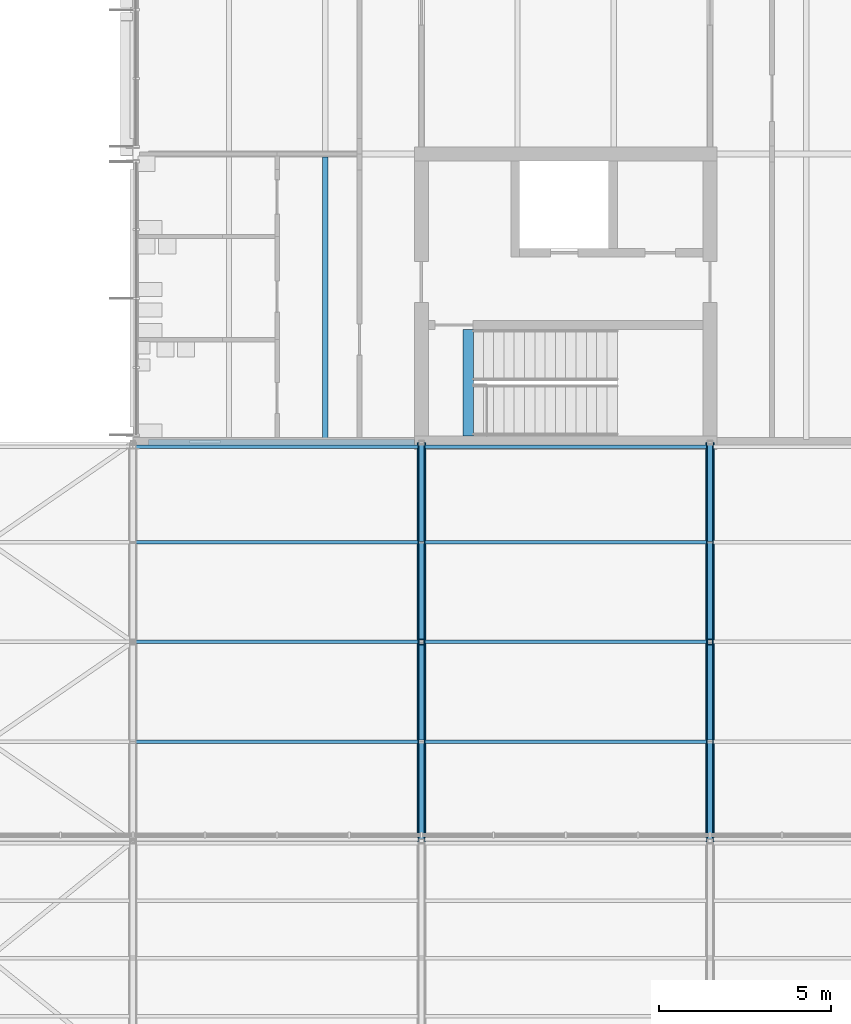
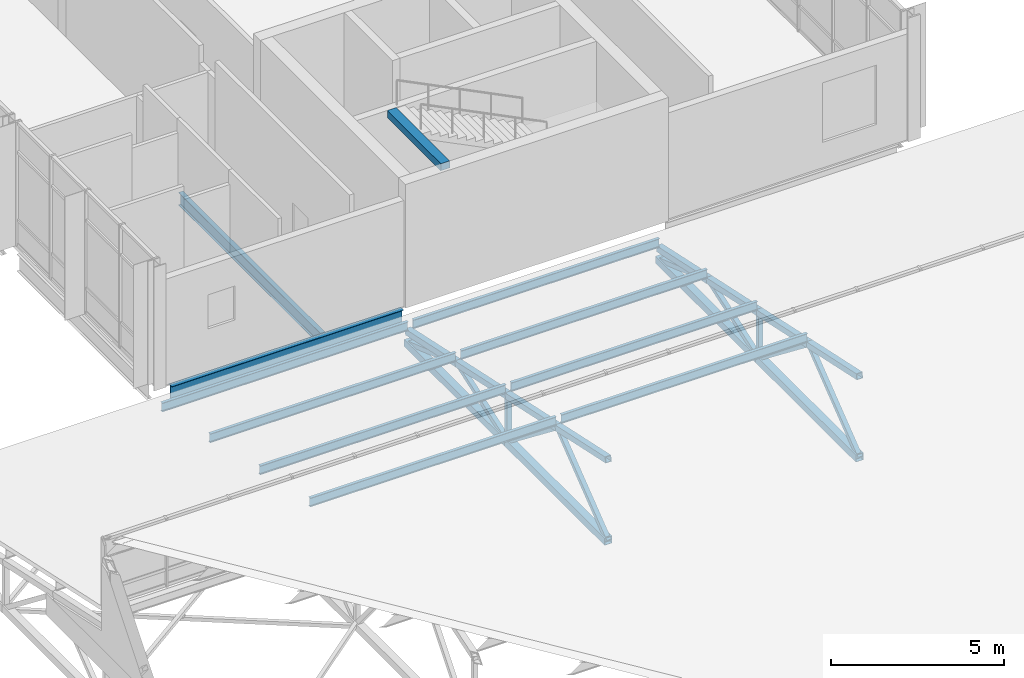
# One storey, part 24 of 89: 23 beams, 10 members.
"""IFC4 building model written with IfcOpenShell, lengths in metres."""

from ifc_helpers import new_model, si_unit, direction, frame, origin, origin_2d, place, context, subcontext, project, spatial, rectangle, hollow_rectangle, i_section, extrude, material, material_profile, profile_set, type_object, element, save


model = new_model("IFC4")

# Units and contexts
model_context = context("Model", 3, precision=1e-05, world=origin(), true_north=direction((0.0, 1.0)))
body_context = subcontext(model_context, "Body", "Model", "MODEL_VIEW")
ifc_project = project(units=[si_unit("LENGTHUNIT", "METRE"), si_unit("AREAUNIT", "SQUARE_METRE"), si_unit("VOLUMEUNIT", "CUBIC_METRE"), si_unit("PLANEANGLEUNIT", "RADIAN"), si_unit("MASSUNIT", "GRAM", prefix="KILO")], contexts=[model_context])

# Site, building, storey
site_placement = place(None, origin())
site = spatial("IfcSite", under=ifc_project, at=site_placement, CompositionType="ELEMENT")
building_placement = place(site_placement, origin())
building = spatial("IfcBuilding", under=site, at=building_placement, Name="Hlaing Beacon Police Headquarters", CompositionType="ELEMENT")
storey_placement = place(building_placement, frame((0.0, 0.0, 9.89990234375)))
storey = spatial("IfcBuildingStorey", under=building, at=storey_placement, Name="L02", CompositionType="ELEMENT", Elevation=9.89990234375)

# Beams
ifc_material_1 = material(Name="Steel ASTM A992 Grade 50", Category="steel")
ifc_material_profile_1 = material_profile(ifc_material_1, i_section(OverallWidth=0.177978515625, OverallDepth=0.599365234375, WebThickness=0.010009765625, FlangeThickness=0.012939453125, FilletRadius=0.012939453125, at=origin_2d()), Name="W24x55")
ifc_profile_set_1 = profile_set([ifc_material_profile_1], Name="Steel ASTM A992 Grade 50")
beam_type_1 = type_object("IfcBeamType", Name="Girder W24x55", PredefinedType="BEAM", material=ifc_profile_set_1)
beam_1_placement = place(storey_placement, frame((101.25, 33.60009765625, -0.4296875), z_axis=(1.0, 0.0, 0.0), x_axis=(0.0, 1.0, 0.0)))
element("IfcBeam", 1, at=beam_1_placement, inside=storey, type_object=beam_type_1, Name="STR-BM-L02-GX-N5-P5", PredefinedType="BEAM", context=body_context, shape_type="SweptSolid", body=[
    extrude(i_section(OverallWidth=0.177978515625, OverallDepth=0.599365234375, WebThickness=0.010009765625, FlangeThickness=0.012939453125, FilletRadius=0.012939453125, at=origin_2d()), origin(), (0.0, 0.0, 1.0), 7.75),
])
ifc_material_2 = material(Name="Steel ASTM A992 Grade 50", Category="steel")
ifc_material_profile_2 = material_profile(ifc_material_2, i_section(OverallWidth=0.102294921875, OverallDepth=0.3125, WebThickness=0.006591796875, FlangeThickness=0.0107421875, FilletRadius=0.007568359375, at=origin_2d()), Name="W12x22")
ifc_profile_set_2 = profile_set([ifc_material_profile_2], Name="Steel ASTM A992 Grade 50")
beam_type_2 = type_object("IfcBeamType", Name="Roof purlin W12x22", PredefinedType="BEAM", material=ifc_profile_set_2)
for number, where, z_axis, x_axis, name in (
    (2, (100.885009765625, 24.89990234375, 1.154052734375), (1.0, 0.0, 0.0), (0.0, 1.0, 0.0), "STR-RT-V3-PR-R3-02-2"),
    (3, (109.284912109375, 24.89990234375, 1.154052734375), (1.0, 0.0, 0.0), (0.0, 1.0, 0.0), "STR-RT-V3-PR-R3-02-3"),
    (4, (100.885009765625, 27.800048828125, 0.529052734375), (1.0, 0.0, 0.0), (0.0, 1.0, 0.0), "STR-RT-V3-PR-R3-03-2"),
    (5, (109.284912109375, 27.800048828125, 0.529052734375), (1.0, 0.0, 0.0), (0.0, 1.0, 0.0), "STR-RT-V3-PR-R3-03-3"),
    (6, (100.885009765625, 30.699951171875, -0.095947265625), (1.0, 0.0, 0.0), (0.0, 1.0, 0.0), "STR-RT-V3-PR-R3-04-2"),
    (7, (109.284912109375, 30.699951171875, -0.095947265625), (1.0, 0.0, 0.0), (0.0, 1.0, 0.0), "STR-RT-V3-PR-R3-04-3"),
    (8, (100.885009765625, 33.477294921875, -0.6943359375), (1.0, 0.0, 0.0), (0.0, 1.0, 0.0), "STR-RT-V3-PR-R3-05-2"),
    (9, (109.284912109375, 33.477294921875, -0.6943359375), (1.0, 0.0, 0.0), (0.0, 1.0, 0.0), "STR-RT-V3-PR-R3-05-3"),
):
    element("IfcBeam", number, at=place(storey_placement, frame(where, z_axis=z_axis, x_axis=x_axis)), inside=storey, type_object=beam_type_2, Name=name, PredefinedType="BEAM", context=body_context, shape_type="SweptSolid", body=[
        extrude(i_section(OverallWidth=0.102294921875, OverallDepth=0.3125, WebThickness=0.006591796875, FlangeThickness=0.0107421875, FilletRadius=0.007568359375, at=origin_2d()), origin(), (0.0, 0.0, 1.0), 8.22998046875),
    ])
ifc_material_3 = material(Name="Steel ASTM A992 Grade 50", Category="steel")
ifc_material_profile_3 = material_profile(ifc_material_3, i_section(OverallWidth=0.15234375, OverallDepth=0.449462890625, WebThickness=0.007568359375, FlangeThickness=0.0107421875, FilletRadius=0.01025390625, at=origin_2d()), Name="W18x35")
ifc_profile_set_3 = profile_set([ifc_material_profile_3], Name="Steel ASTM A992 Grade 50")
beam_type_3 = type_object("IfcBeamType", Name="Secondary beam W18x35", PredefinedType="BEAM", material=ifc_profile_set_3)
beam_2_placement = place(storey_placement, frame((106.39990234375, 33.68896484375, -0.354736328125), z_axis=(0.0, 1.0, 0.0), x_axis=(-1.0, 0.0, 0.0)))
element("IfcBeam", 10, at=beam_2_placement, inside=storey, type_object=beam_type_3, Name="STR-BM-L02-SB-N5-y2", PredefinedType="BEAM", context=body_context, shape_type="SweptSolid", body=[
    extrude(i_section(OverallWidth=0.15234375, OverallDepth=0.449462890625, WebThickness=0.007568359375, FlangeThickness=0.0107421875, FilletRadius=0.01025390625, at=origin_2d()), origin(), (0.0, 0.0, 1.0), 8.221923828125),
])
ifc_material_4 = material(Name="Concrete C40/50", Category="concrete")
ifc_material_profile_4 = material_profile(ifc_material_4, rectangle(XDim=0.300048828125, YDim=0.25, at=origin_2d()), Name="Stair arrival beam 300x250")
ifc_profile_set_4 = profile_set([ifc_material_profile_4], Name="Concrete C40/50")
beam_type_4 = type_object("IfcBeamType", Name="Stair arrival beam 300x250", PredefinedType="BEAM", material=ifc_profile_set_4)
beam_3_placement = place(storey_placement, frame((110.56005859375, 33.800048828125, 4.2451171875), z_axis=(0.0, 1.0, 0.0), x_axis=(-1.0, 0.0, 0.0)))
element("IfcBeam", 11, at=beam_3_placement, inside=storey, type_object=beam_type_4, Name="Stair arrival beam ST-L", PredefinedType="BEAM", context=body_context, shape_type="SweptSolid", body=[
    extrude(rectangle(XDim=0.300048828125, YDim=0.25, at=origin_2d()), origin(), (0.0, 0.0, 1.0), 3.099853515625),
])
ifc_material_5 = material(Name="Steel ASTM A500 Grade C", Category="steel")
ifc_material_profile_5 = material_profile(ifc_material_5, hollow_rectangle(XDim=0.25390625, YDim=0.25390625, WallThickness=0.0126953125, at=origin_2d()), Name="HSS10x10x1/2")
ifc_profile_set_5 = profile_set([ifc_material_profile_5], Name="Steel ASTM A500 Grade C")
beam_type_5 = type_object("IfcBeamType", Name="Truss bottom chord HSS10x10x1/2", PredefinedType="BEAM", material=ifc_profile_set_5)
for number, where, z_axis, x_axis, name in (
    (12, (109.199951171875, 22.0, -1.372802734375), (0.0, 1.0, 0.0), (-1.0, 0.0, 0.0), "STR-RT-V3-T3-BC03"),
    (13, (109.199951171875, 27.800048828125, -1.372802734375), (0.0, 1.0, 0.0), (-1.0, 0.0, 0.0), "STR-RT-V3-T3-BC04"),
    (14, (117.60009765625, 22.0, -1.372802734375), (0.0, 1.0, 0.0), (-1.0, 0.0, 0.0), "STR-RT-V3-T4-BC03"),
    (15, (117.60009765625, 27.800048828125, -1.372802734375), (0.0, 1.0, 0.0), (-1.0, 0.0, 0.0), "STR-RT-V3-T4-BC04"),
):
    element("IfcBeam", number, at=place(storey_placement, frame(where, z_axis=z_axis, x_axis=x_axis)), inside=storey, type_object=beam_type_5, Name=name, PredefinedType="BEAM", context=body_context, shape_type="SweptSolid", body=[
        extrude(hollow_rectangle(XDim=0.25390625, YDim=0.25390625, WallThickness=0.0126953125, at=origin_2d()), origin(), (0.0, 0.0, 1.0), 5.800048828125),
    ])

# Members
ifc_material_6 = material(Name="Steel ASTM A500 Grade C", Category="steel")
ifc_material_profile_6 = material_profile(ifc_material_6, hollow_rectangle(XDim=0.15234375, YDim=0.15234375, WallThickness=0.0126953125, at=origin_2d()), Name="HSS6x6x1/2")
ifc_profile_set_6 = profile_set([ifc_material_profile_6], Name="Steel ASTM A500 Grade C")
member_type_1 = type_object("IfcMemberType", Name="Truss post HSS6x6x1/2", PredefinedType="POST", material=ifc_profile_set_6)
for number, where, z_axis, x_axis, name in (
    (16, (109.199951171875, 27.800048828125, -1.372802734375), (0.0, 0.0, 1.0), (1.0, 0.0, 0.0), "STR-RT-V3-T3-PS04"),
    (17, (117.60009765625, 27.800048828125, -1.372802734375), (0.0, 0.0, 1.0), (1.0, 0.0, 0.0), "STR-RT-V3-T4-PS04"),
):
    element("IfcMember", number, at=place(storey_placement, frame(where, z_axis=z_axis, x_axis=x_axis)), inside=storey, type_object=member_type_1, Name=name, PredefinedType="POST", context=body_context, shape_type="SweptSolid", body=[
        extrude(hollow_rectangle(XDim=0.15234375, YDim=0.15234375, WallThickness=0.0126953125, at=origin_2d()), origin(), (0.0, 0.0, 1.0), 1.631103515625),
    ])

# Beams
ifc_material_7 = material(Name="Steel ASTM A500 Grade C", Category="steel")
ifc_material_profile_7 = material_profile(ifc_material_7, hollow_rectangle(XDim=0.203125, YDim=0.203125, WallThickness=0.015869140625, at=origin_2d()), Name="HSS8x8x5/8")
ifc_profile_set_7 = profile_set([ifc_material_profile_7], Name="Steel ASTM A500 Grade C")
beam_type_6 = type_object("IfcBeamType", Name="Truss top chord HSS8x8x5/8", PredefinedType="BEAM", material=ifc_profile_set_7)
beam_4_placement = place(storey_placement, frame((109.199951171875, 22.0, 1.50830078125), z_axis=(0.0, 0.97755362567, -0.21068675549), x_axis=(-1.0, 0.0, 0.0)))
element("IfcBeam", 18, at=beam_4_placement, inside=storey, type_object=beam_type_6, Name="STR-RT-V3-T3-TC06", PredefinedType="BEAM", context=body_context, shape_type="SweptSolid", body=[
    extrude(hollow_rectangle(XDim=0.203125, YDim=0.203125, WallThickness=0.015869140625, at=origin_2d()), origin(), (0.0, 0.0, 1.0), 2.966552734375),
])
beam_5_placement = place(storey_placement, frame((109.199951171875, 24.89990234375, 0.88330078125), z_axis=(0.0, 0.977557278415, -0.210669806612), x_axis=(-1.0, 0.0, 0.0)))
element("IfcBeam", 19, at=beam_5_placement, inside=storey, type_object=beam_type_6, Name="STR-RT-V3-T3-TC07", PredefinedType="BEAM", context=body_context, shape_type="SweptSolid", body=[
    extrude(hollow_rectangle(XDim=0.203125, YDim=0.203125, WallThickness=0.015869140625, at=origin_2d()), origin(), (0.0, 0.0, 1.0), 2.966796875),
])
beam_6_placement = place(storey_placement, frame((109.199951171875, 27.800048828125, 0.25830078125), z_axis=(0.0, 0.97755362567, -0.21068675549), x_axis=(-1.0, 0.0, 0.0)))
element("IfcBeam", 20, at=beam_6_placement, inside=storey, type_object=beam_type_6, Name="STR-RT-V3-T3-TC08", PredefinedType="BEAM", context=body_context, shape_type="SweptSolid", body=[
    extrude(hollow_rectangle(XDim=0.203125, YDim=0.203125, WallThickness=0.015869140625, at=origin_2d()), origin(), (0.0, 0.0, 1.0), 2.966552734375),
])
beam_7_placement = place(storey_placement, frame((109.199951171875, 30.699951171875, -0.36669921875), z_axis=(0.0, 0.977557278415, -0.210669806612), x_axis=(-1.0, 0.0, 0.0)))
element("IfcBeam", 21, at=beam_7_placement, inside=storey, type_object=beam_type_6, Name="STR-RT-V3-T3-TC09", PredefinedType="BEAM", context=body_context, shape_type="SweptSolid", body=[
    extrude(hollow_rectangle(XDim=0.203125, YDim=0.203125, WallThickness=0.015869140625, at=origin_2d()), origin(), (0.0, 0.0, 1.0), 2.966796875),
])
beam_8_placement = place(storey_placement, frame((117.60009765625, 22.0, 1.50830078125), z_axis=(0.0, 0.97755362567, -0.21068675549), x_axis=(-1.0, 0.0, 0.0)))
element("IfcBeam", 22, at=beam_8_placement, inside=storey, type_object=beam_type_6, Name="STR-RT-V3-T4-TC06", PredefinedType="BEAM", context=body_context, shape_type="SweptSolid", body=[
    extrude(hollow_rectangle(XDim=0.203125, YDim=0.203125, WallThickness=0.015869140625, at=origin_2d()), origin(), (0.0, 0.0, 1.0), 2.966552734375),
])
beam_9_placement = place(storey_placement, frame((117.60009765625, 24.89990234375, 0.88330078125), z_axis=(0.0, 0.977557278415, -0.210669806612), x_axis=(-1.0, 0.0, 0.0)))
element("IfcBeam", 23, at=beam_9_placement, inside=storey, type_object=beam_type_6, Name="STR-RT-V3-T4-TC07", PredefinedType="BEAM", context=body_context, shape_type="SweptSolid", body=[
    extrude(hollow_rectangle(XDim=0.203125, YDim=0.203125, WallThickness=0.015869140625, at=origin_2d()), origin(), (0.0, 0.0, 1.0), 2.966796875),
])
beam_10_placement = place(storey_placement, frame((117.60009765625, 27.800048828125, 0.25830078125), z_axis=(0.0, 0.97755362567, -0.21068675549), x_axis=(-1.0, 0.0, 0.0)))
element("IfcBeam", 24, at=beam_10_placement, inside=storey, type_object=beam_type_6, Name="STR-RT-V3-T4-TC08", PredefinedType="BEAM", context=body_context, shape_type="SweptSolid", body=[
    extrude(hollow_rectangle(XDim=0.203125, YDim=0.203125, WallThickness=0.015869140625, at=origin_2d()), origin(), (0.0, 0.0, 1.0), 2.966552734375),
])
beam_11_placement = place(storey_placement, frame((117.60009765625, 30.699951171875, -0.36669921875), z_axis=(0.0, 0.977557278415, -0.210669806612), x_axis=(-1.0, 0.0, 0.0)))
element("IfcBeam", 25, at=beam_11_placement, inside=storey, type_object=beam_type_6, Name="STR-RT-V3-T4-TC09", PredefinedType="BEAM", context=body_context, shape_type="SweptSolid", body=[
    extrude(hollow_rectangle(XDim=0.203125, YDim=0.203125, WallThickness=0.015869140625, at=origin_2d()), origin(), (0.0, 0.0, 1.0), 2.966796875),
])

# Members
ifc_material_8 = material(Name="Steel ASTM A500 Grade C", Category="steel")
ifc_material_profile_8 = material_profile(ifc_material_8, hollow_rectangle(XDim=0.15234375, YDim=0.15234375, WallThickness=0.009521484375, at=origin_2d()), Name="HSS6x6x3/8")
ifc_profile_set_8 = profile_set([ifc_material_profile_8], Name="Steel ASTM A500 Grade C")
member_type_2 = type_object("IfcMemberType", Name="Truss web HSS6x6x3/8", PredefinedType="BRACE", material=ifc_profile_set_8)
member_1_placement = place(storey_placement, frame((109.199951171875, 22.0, -1.372802734375), z_axis=(0.0, 0.789269916933, 0.614046413738), x_axis=(-1.0, 0.0, 0.0)))
element("IfcMember", 26, at=member_1_placement, inside=storey, type_object=member_type_2, Name="STR-RT-V3-T3-DG05", PredefinedType="BRACE", context=body_context, shape_type="SweptSolid", body=[
    extrude(hollow_rectangle(XDim=0.15234375, YDim=0.15234375, WallThickness=0.009521484375, at=origin_2d()), origin(), (0.0, 0.0, 1.0), 3.674072265625),
])
member_2_placement = place(storey_placement, frame((109.199951171875, 24.89990234375, 0.88330078125), z_axis=(0.0, 0.789294969398, -0.614014210978), x_axis=(-1.0, 0.0, 0.0)))
element("IfcMember", 27, at=member_2_placement, inside=storey, type_object=member_type_2, Name="STR-RT-V3-T3-DG06", PredefinedType="BRACE", context=body_context, shape_type="SweptSolid", body=[
    extrude(hollow_rectangle(XDim=0.15234375, YDim=0.15234375, WallThickness=0.009521484375, at=origin_2d()), origin(), (0.0, 0.0, 1.0), 3.67431640625),
])
member_3_placement = place(storey_placement, frame((109.199951171875, 27.800048828125, -1.372802734375), z_axis=(0.0, 0.944755103934, 0.327777048603), x_axis=(-1.0, 0.0, 0.0)))
element("IfcMember", 28, at=member_3_placement, inside=storey, type_object=member_type_2, Name="STR-RT-V3-T3-DG07", PredefinedType="BRACE", context=body_context, shape_type="SweptSolid", body=[
    extrude(hollow_rectangle(XDim=0.15234375, YDim=0.15234375, WallThickness=0.009521484375, at=origin_2d()), origin(), (0.0, 0.0, 1.0), 3.069580078125),
])
member_4_placement = place(storey_placement, frame((109.199951171875, 30.699951171875, -0.36669921875), z_axis=(0.0, 0.944763648383, -0.327752419815), x_axis=(-1.0, 0.0, 0.0)))
element("IfcMember", 29, at=member_4_placement, inside=storey, type_object=member_type_2, Name="STR-RT-V3-T3-DG08", PredefinedType="BRACE", context=body_context, shape_type="SweptSolid", body=[
    extrude(hollow_rectangle(XDim=0.15234375, YDim=0.15234375, WallThickness=0.009521484375, at=origin_2d()), origin(), (0.0, 0.0, 1.0), 3.06982421875),
])
member_5_placement = place(storey_placement, frame((117.60009765625, 22.0, -1.372802734375), z_axis=(0.0, 0.789269916933, 0.614046413738), x_axis=(-1.0, 0.0, 0.0)))
element("IfcMember", 30, at=member_5_placement, inside=storey, type_object=member_type_2, Name="STR-RT-V3-T4-DG05", PredefinedType="BRACE", context=body_context, shape_type="SweptSolid", body=[
    extrude(hollow_rectangle(XDim=0.15234375, YDim=0.15234375, WallThickness=0.009521484375, at=origin_2d()), origin(), (0.0, 0.0, 1.0), 3.674072265625),
])
member_6_placement = place(storey_placement, frame((117.60009765625, 24.89990234375, 0.88330078125), z_axis=(0.0, 0.789294969398, -0.614014210978), x_axis=(-1.0, 0.0, 0.0)))
element("IfcMember", 31, at=member_6_placement, inside=storey, type_object=member_type_2, Name="STR-RT-V3-T4-DG06", PredefinedType="BRACE", context=body_context, shape_type="SweptSolid", body=[
    extrude(hollow_rectangle(XDim=0.15234375, YDim=0.15234375, WallThickness=0.009521484375, at=origin_2d()), origin(), (0.0, 0.0, 1.0), 3.67431640625),
])
member_7_placement = place(storey_placement, frame((117.60009765625, 27.800048828125, -1.372802734375), z_axis=(0.0, 0.944755103934, 0.327777048603), x_axis=(-1.0, 0.0, 0.0)))
element("IfcMember", 32, at=member_7_placement, inside=storey, type_object=member_type_2, Name="STR-RT-V3-T4-DG07", PredefinedType="BRACE", context=body_context, shape_type="SweptSolid", body=[
    extrude(hollow_rectangle(XDim=0.15234375, YDim=0.15234375, WallThickness=0.009521484375, at=origin_2d()), origin(), (0.0, 0.0, 1.0), 3.069580078125),
])
member_8_placement = place(storey_placement, frame((117.60009765625, 30.699951171875, -0.36669921875), z_axis=(0.0, 0.944763648383, -0.327752419815), x_axis=(-1.0, 0.0, 0.0)))
element("IfcMember", 33, at=member_8_placement, inside=storey, type_object=member_type_2, Name="STR-RT-V3-T4-DG08", PredefinedType="BRACE", context=body_context, shape_type="SweptSolid", body=[
    extrude(hollow_rectangle(XDim=0.15234375, YDim=0.15234375, WallThickness=0.009521484375, at=origin_2d()), origin(), (0.0, 0.0, 1.0), 3.06982421875),
])

save(model, "model.ifc")
